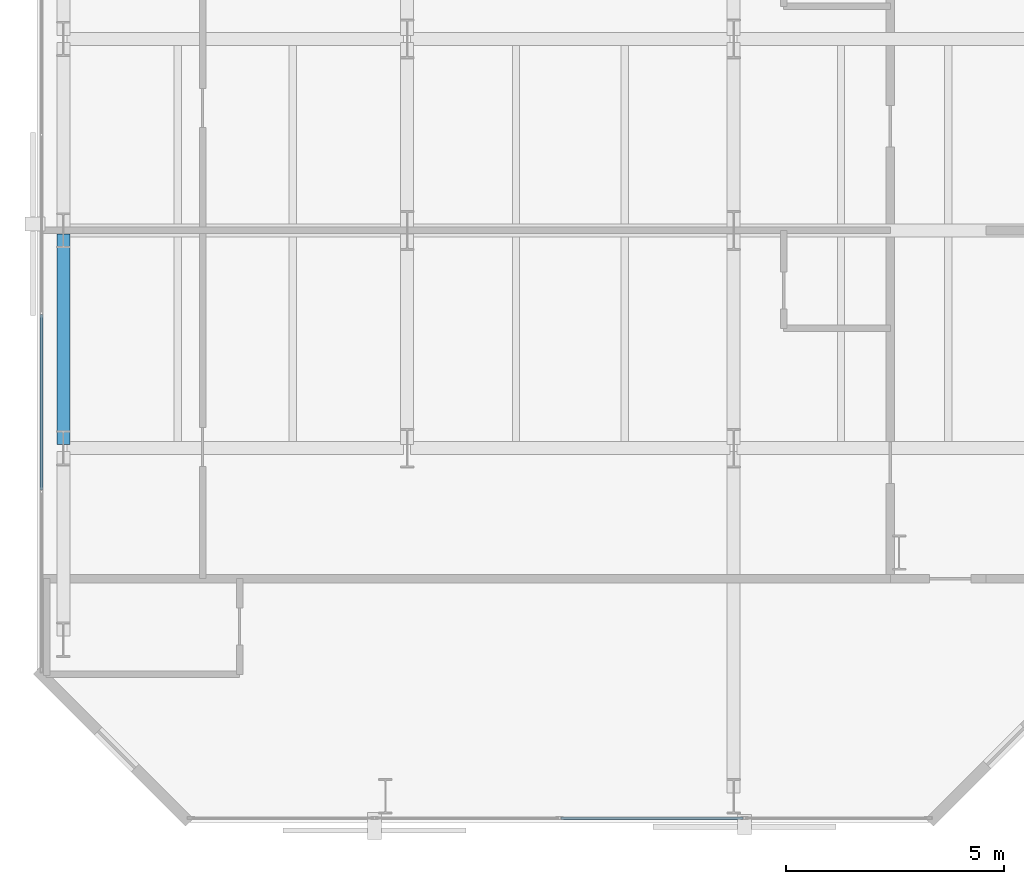
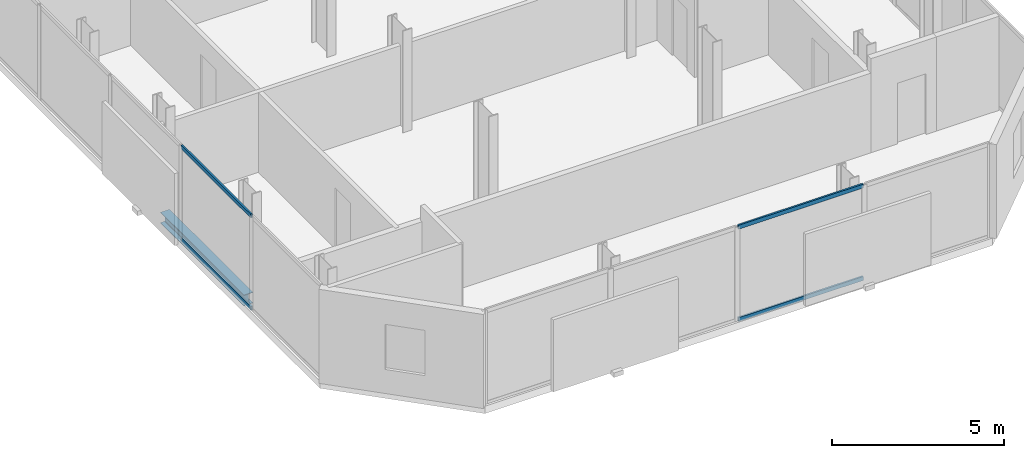
# One storey, part 4 of 33: 4 members, 1 beam, 2 elements without a shape of their own.
"""IFC4 building model written with IfcOpenShell, lengths in metres."""

import ifcopenshell
import ifcopenshell.guid

model = None  # the IFC model being written
_history = None  # IfcOwnerHistory: only IFC2X3 demands one
_inside = {}  # id of a spatial element -> (the spatial element, [elements in it])
_under = {}  # id of a project, library or spatial element -> (it, [spatial elements below it])
_declared = {}  # id of a project -> (the project, [libraries it declares])
_typed = {}  # id of a type object -> (the type object, [elements of that type])
_made_of = {}  # id of a material, layer set ... -> (it, [elements and type objects made of it])


def new_model(schema):
    """Start an empty IFC model of exactly this schema.

    Asked for "IFC4X3", IfcOpenShell would pick the latest addendum, in which some entities
    have other attributes; the version numbers below select the first issue.
    IFC2X3 requires an IfcOwnerHistory on every rooted entity: one is made here for all.
    """
    global model, _history
    if schema == "IFC4X3":
        model = ifcopenshell.file(schema_version=(4, 3, 0, 0))
    else:
        model = ifcopenshell.file(schema=schema)
    _inside.clear()
    _under.clear()
    _declared.clear()
    _typed.clear()
    _made_of.clear()
    _history = None
    if model.schema == "IFC2X3":
        org = make("IfcOrganization", Name="unknown")
        user = make(
            "IfcPersonAndOrganization",
            ThePerson=make("IfcPerson", FamilyName="unknown"),
            TheOrganization=org,
        )
        app = make(
            "IfcApplication",
            ApplicationDeveloper=org,
            Version="unknown",
            ApplicationFullName="unknown",
            ApplicationIdentifier="unknown",
        )
        _history = make(
            "IfcOwnerHistory",
            OwningUser=user,
            OwningApplication=app,
            ChangeAction="ADDED",
            CreationDate=0,
        )
    return model


def make(cls, **values):
    """One entity of the class cls with the attributes given. An attribute that is None is left unset."""
    return model.create_entity(
        cls, **{name: value for name, value in values.items() if value is not None}
    )


def rooted(cls, **values):
    """An entity with a GlobalId (a new one), such as an element, a storey or a relation."""
    return make(cls, GlobalId=ifcopenshell.guid.new(), OwnerHistory=_history, **values)


def si_unit(unit_type, name, prefix=None):
    """IfcSIUnit, for example si_unit("LENGTHUNIT", "METRE", prefix="MILLI")."""
    return make("IfcSIUnit", UnitType=unit_type, Prefix=prefix, Name=name)


def assignment(units):
    """IfcUnitAssignment: the units of a project."""
    return None if units is None else make("IfcUnitAssignment", Units=units)


def point(xyz):
    """IfcCartesianPoint."""
    return None if xyz is None else make("IfcCartesianPoint", Coordinates=xyz)


def direction(xyz):
    """IfcDirection."""
    return None if xyz is None else make("IfcDirection", DirectionRatios=xyz)


def frame(location, z_axis=None, x_axis=None):
    """IfcAxis2Placement3D, a coordinate frame: its origin and axes. An axis left out is left unset."""
    return make(
        "IfcAxis2Placement3D",
        Location=point(location),
        Axis=direction(z_axis),
        RefDirection=direction(x_axis),
    )


def frame_2d(location, x_axis=None):
    """IfcAxis2Placement2D, a coordinate frame in the plane: its origin and x axis."""
    return make(
        "IfcAxis2Placement2D", Location=point(location), RefDirection=direction(x_axis)
    )


def origin():
    """The frame at (0, 0, 0) with its axes left unset."""
    return frame((0.0, 0.0, 0.0))


def origin_2d():
    """The frame at (0, 0) in the plane with its x axis left unset."""
    return frame_2d((0.0, 0.0))


def place(relative_to, where):
    """IfcLocalPlacement: puts the frame where relative to a parent placement (None: the world)."""
    return make(
        "IfcLocalPlacement", PlacementRelTo=relative_to, RelativePlacement=where
    )


def context(
    kind, dimensions, precision=None, world=None, true_north=None, identifier=None
):
    """IfcGeometricRepresentationContext, for example the 3D "Model" context."""
    return make(
        "IfcGeometricRepresentationContext",
        ContextIdentifier=identifier,
        ContextType=kind,
        CoordinateSpaceDimension=dimensions,
        Precision=precision,
        WorldCoordinateSystem=world,
        TrueNorth=true_north,
    )


def subcontext(parent, identifier, kind, view, scale=None):
    """IfcGeometricRepresentationSubContext, for example "Body" below "Model"."""
    return make(
        "IfcGeometricRepresentationSubContext",
        ContextIdentifier=identifier,
        ContextType=kind,
        ParentContext=parent,
        TargetScale=scale,
        TargetView=view,
    )


def project(units=None, contexts=None):
    """IfcProject with its units and contexts."""
    return rooted(
        "IfcProject",
        Name="project",
        RepresentationContexts=contexts,
        UnitsInContext=assignment(units),
    )


def spatial(cls, under=None, at=None, **own):
    """A site, building, storey or space (cls), placed at a placement, below another one or the project."""
    s = rooted(cls, ObjectPlacement=at, **own)
    if under is not None:
        _under.setdefault(under.id(), (under, []))[1].append(s)
    return s


def profile(cls, at=None, kind="AREA", **sizes):
    """A parametric profile (cls). Its sizes go by their IFC names, for example OverallWidth=200.0."""
    return make(cls, ProfileType=kind, Position=at, **sizes)


def hollow_rectangle(**sizes):
    """IfcRectangleHollowProfileDef."""
    return profile("IfcRectangleHollowProfileDef", **sizes)


def i_section(**sizes):
    """IfcIShapeProfileDef."""
    return profile("IfcIShapeProfileDef", **sizes)


def extrude(swept, where, along, depth):
    """IfcExtrudedAreaSolid: the profile swept, set in the frame where, extruded along a direction by depth."""
    return make(
        "IfcExtrudedAreaSolid",
        SweptArea=swept,
        Position=where,
        ExtrudedDirection=direction(along),
        Depth=depth,
    )


def shape(context_of_items, identifier, shape_type, items):
    """IfcShapeRepresentation: the items that make up one representation, for example the "Body"."""
    return make(
        "IfcShapeRepresentation",
        ContextOfItems=context_of_items,
        RepresentationIdentifier=identifier,
        RepresentationType=shape_type,
        Items=items,
    )


def material(Name=None, Category=None):
    """IfcMaterial."""
    return make("IfcMaterial", Name=Name, Category=Category)


def layer(
    of_material, thickness, ventilated=None, Name=None, Category=None, Priority=None
):
    """IfcMaterialLayer: one layer of a wall or slab, of a material (None: an air gap)."""
    return make(
        "IfcMaterialLayer",
        Material=of_material,
        LayerThickness=thickness,
        IsVentilated=ventilated,
        Name=Name,
        Category=Category,
        Priority=Priority,
    )


def layer_set(layers, Name=None):
    """IfcMaterialLayerSet."""
    return make("IfcMaterialLayerSet", MaterialLayers=layers, LayerSetName=Name)


def material_profile(
    of_material, cross_section, Name=None, Category=None, Priority=None
):
    """IfcMaterialProfile: a cross section and its material."""
    return make(
        "IfcMaterialProfile",
        Name=Name,
        Material=of_material,
        Profile=cross_section,
        Priority=Priority,
        Category=Category,
    )


def profile_set(profiles, Name=None, composite=None):
    """IfcMaterialProfileSet."""
    return make(
        "IfcMaterialProfileSet",
        Name=Name,
        MaterialProfiles=profiles,
        CompositeProfile=composite,
    )


def made_of(thing, what):
    """Note that an element or type object is made of a material, layer set ...; save() writes the relation."""
    if what is not None:
        _made_of.setdefault(what.id(), (what, []))[1].append(thing)
    return thing


def type_object(cls, material=None, **own):
    """A type object (cls), such as IfcWallType, which elements share."""
    return made_of(rooted(cls, **own), material)


def element(
    cls,
    number,
    at=None,
    inside=None,
    cuts=None,
    type_object=None,
    material=None,
    context=None,
    identifier="Body",
    shape_type=None,
    held_by="IfcProductDefinitionShape",
    body=None,
    shapes=None,
    **own,
):
    """One element of the class cls, such as IfcWall. Its Tag is "e" and its number.

    at: its placement. inside: the storey or other place that contains it. cuts: it is an
    opening in that element (IfcRelVoidsElement). A single representation is given by context,
    identifier, shape_type and body (its items); several are given by shapes. held_by: the class
    of the entity that holds the representations. save() writes the other relations.
    """
    e = rooted(cls, Tag="e%d" % number, ObjectPlacement=at, **own)
    if body is not None:
        shapes = [shape(context, identifier, shape_type, body)]
    if shapes is not None:
        e.Representation = make(held_by, Representations=shapes)
    if inside is not None:
        _inside.setdefault(inside.id(), (inside, []))[1].append(e)
    if cuts is not None:
        rooted(
            "IfcRelVoidsElement", RelatingBuildingElement=cuts, RelatedOpeningElement=e
        )
    if type_object is not None:
        _typed.setdefault(type_object.id(), (type_object, []))[1].append(e)
    return made_of(e, material)


def aggregate(whole, parts):
    """IfcRelAggregates: a whole, such as a stair, and the parts it consists of."""
    return rooted("IfcRelAggregates", RelatingObject=whole, RelatedObjects=parts)


def save(model, path):
    """Write the relations noted so far, then the file.

    IfcRelAggregates (storeys below a building ...), IfcRelContainedInSpatialStructure (elements
    in a storey), IfcRelDefinesByType, IfcRelAssociatesMaterial and IfcRelDeclares: one each for
    every whole, place, type object, material and project.
    """
    for whole, parts in _under.values():
        aggregate(whole, parts)
    for where, things in _inside.values():
        rooted(
            "IfcRelContainedInSpatialStructure",
            RelatedElements=things,
            RelatingStructure=where,
        )
    for kind, things in _typed.values():
        rooted("IfcRelDefinesByType", RelatedObjects=things, RelatingType=kind)
    for what, things in _made_of.values():
        rooted("IfcRelAssociatesMaterial", RelatedObjects=things, RelatingMaterial=what)
    for by, libraries in _declared.values():
        rooted("IfcRelDeclares", RelatingContext=by, RelatedDefinitions=libraries)
    model.write(path)


model = new_model("IFC4")

# Units and contexts
model_context = context("Model", 3, precision=1e-05, world=origin(), true_north=direction((0.0, 1.0)))
body_context = subcontext(model_context, "Body", "Model", "MODEL_VIEW")
ifc_project = project(units=[si_unit("LENGTHUNIT", "METRE"), si_unit("AREAUNIT", "SQUARE_METRE"), si_unit("VOLUMEUNIT", "CUBIC_METRE"), si_unit("PLANEANGLEUNIT", "RADIAN"), si_unit("MASSUNIT", "GRAM", prefix="KILO")], contexts=[model_context])

# Site, building, storey
site_placement = place(None, origin())
site = spatial("IfcSite", under=ifc_project, at=site_placement, CompositionType="ELEMENT")
building_placement = place(site_placement, origin())
building = spatial("IfcBuilding", under=site, at=building_placement, Name="Catumbela Crestline Tower", CompositionType="ELEMENT")
storey_placement = place(building_placement, frame((0.0, 0.0, 47.4)))
storey = spatial("IfcBuildingStorey", under=building, at=storey_placement, Name="L11", CompositionType="ELEMENT", Elevation=47.4)

# Beam
ifc_material_1 = material(Name="Structural steel S355J2", Category="steel")
ifc_material_profile_1 = material_profile(ifc_material_1, i_section(OverallWidth=0.3, OverallDepth=0.39, WebThickness=0.011, FlangeThickness=0.019, FilletRadius=0.027, at=origin_2d()), Name="HEA 400")
ifc_profile_set_1 = profile_set([ifc_material_profile_1], Name="Structural steel S355J2")
beam_type = type_object("IfcBeamType", Name="BS-HEA400", PredefinedType="SPANDREL", material=ifc_profile_set_1)
beam_placement = place(storey_placement, frame((0.6, 8.68, -0.455), z_axis=(0.0, 1.0, 0.0), x_axis=(-1.0, 0.0, 0.0)))
element("IfcBeam", 1, at=beam_placement, inside=storey, type_object=beam_type, Name="L11 Spandrel SP-L11-WNS58", PredefinedType="SPANDREL", context=body_context, shape_type="SweptSolid", body=[
    extrude(i_section(OverallWidth=0.3, OverallDepth=0.39, WebThickness=0.011, FlangeThickness=0.019, FilletRadius=0.027, at=origin_2d()), origin(), (0.0, 0.0, 1.0), 4.84),
])

# Curtain wall, members
ifc_material_2 = material(Name="Aluminium alloy AW-6060-T66", Category="aluminium")
ifc_layer = layer(ifc_material_2, 0.18, Name="Aluminium alloy AW-6060-T66")
ifc_layer_set = layer_set([ifc_layer], Name="Aluminium alloy AW-6060-T66")
curtain_wall_type = type_object("IfcCurtainWallType", Name="CWU-Z1", PredefinedType="USERDEFINED", material=ifc_layer_set)
curtain_wall_1_placement = place(storey_placement, origin())
curtain_wall_1 = element("IfcCurtainWall", 2, at=curtain_wall_1_placement, inside=storey, type_object=curtain_wall_type, Name="L11 Unitised Curtain Wall CW-L11-E0S1", ObjectType="UNITISED", PredefinedType="USERDEFINED")
ifc_material_profile_2 = material_profile(ifc_material_2, hollow_rectangle(XDim=0.06, YDim=0.14, WallThickness=0.004, at=origin_2d()), Name="ALU 140x60x4")
ifc_profile_set_2 = profile_set([ifc_material_profile_2], Name="Aluminium alloy AW-6060-T66")
member_type = type_object("IfcMemberType", Name="TRN-140X60", PredefinedType="USERDEFINED", material=ifc_profile_set_2)
member_1_placement = place(storey_placement, frame((12.0325, 0.1, 0.03), z_axis=(1.0, 0.0, 0.0), x_axis=(0.0, 1.0, 0.0)))
member_1 = element("IfcMember", 3, at=member_1_placement, type_object=member_type, Name="CWU-Z1 transom 3.1", ObjectType="TRANSOM", PredefinedType="USERDEFINED", context=body_context, shape_type="SweptSolid", body=[
    extrude(hollow_rectangle(XDim=0.06, YDim=0.14, WallThickness=0.004, at=origin_2d()), origin(), (0.0, 0.0, 1.0), 4.185),
])
member_2_placement = place(storey_placement, frame((12.0325, 0.1, 3.3), z_axis=(1.0, 0.0, 0.0), x_axis=(0.0, 1.0, 0.0)))
member_2 = element("IfcMember", 4, at=member_2_placement, type_object=member_type, Name="CWU-Z1 transom 3.2", ObjectType="TRANSOM", PredefinedType="USERDEFINED", context=body_context, shape_type="SweptSolid", body=[
    extrude(hollow_rectangle(XDim=0.06, YDim=0.14, WallThickness=0.004, at=origin_2d()), origin(), (0.0, 0.0, 1.0), 4.185),
])
aggregate(curtain_wall_1, [member_1, member_2])

curtain_wall_2_placement = place(storey_placement, origin())
curtain_wall_2 = element("IfcCurtainWall", 5, at=curtain_wall_2_placement, inside=storey, type_object=curtain_wall_type, Name="L11 Unitised Curtain Wall CW-L11-E9S1", ObjectType="UNITISED", PredefinedType="USERDEFINED")
member_3_placement = place(storey_placement, frame((0.1, 11.6675, 0.03), z_axis=(0.0, -1.0, 0.0), x_axis=(1.0, 0.0, 0.0)))
member_3 = element("IfcMember", 6, at=member_3_placement, type_object=member_type, Name="CWU-Z1 transom 9.1", ObjectType="TRANSOM", PredefinedType="USERDEFINED", context=body_context, shape_type="SweptSolid", body=[
    extrude(hollow_rectangle(XDim=0.06, YDim=0.14, WallThickness=0.004, at=origin_2d()), origin(), (0.0, 0.0, 1.0), 4.035),
])
member_4_placement = place(storey_placement, frame((0.1, 11.6675, 3.3), z_axis=(0.0, -1.0, 0.0), x_axis=(1.0, 0.0, 0.0)))
member_4 = element("IfcMember", 7, at=member_4_placement, type_object=member_type, Name="CWU-Z1 transom 9.2", ObjectType="TRANSOM", PredefinedType="USERDEFINED", context=body_context, shape_type="SweptSolid", body=[
    extrude(hollow_rectangle(XDim=0.06, YDim=0.14, WallThickness=0.004, at=origin_2d()), origin(), (0.0, 0.0, 1.0), 4.035),
])
aggregate(curtain_wall_2, [member_3, member_4])

save(model, "model.ifc")
